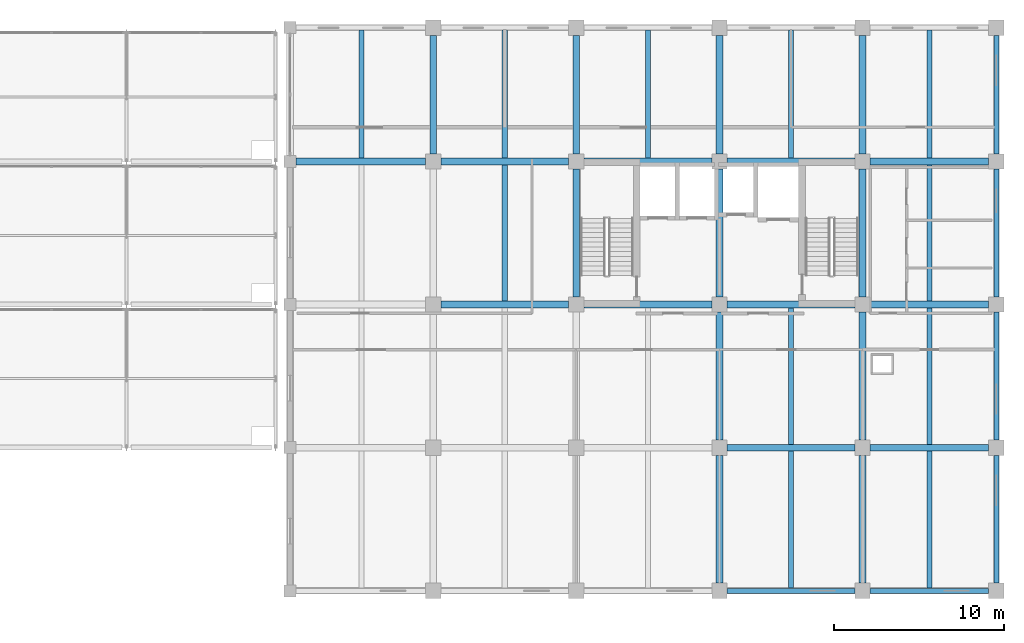
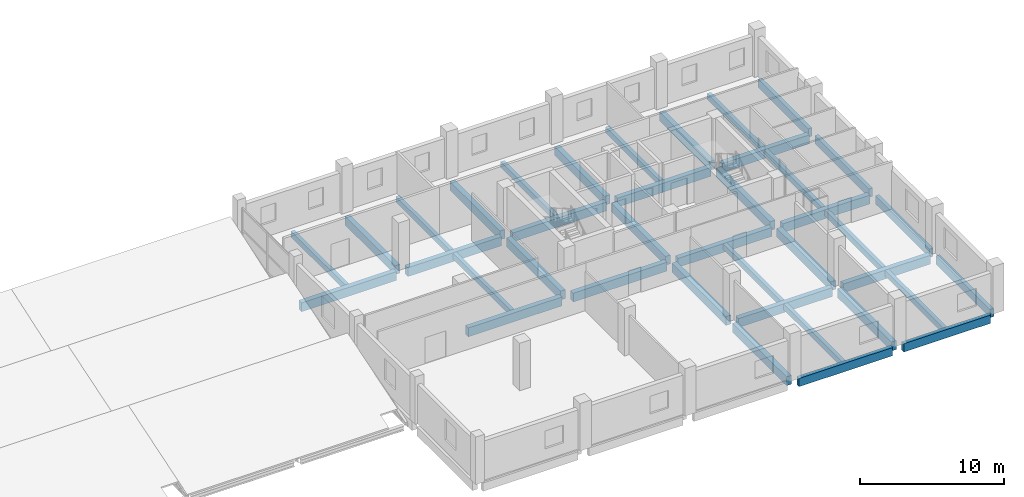
# One storey, part 25 of 40: 39 beams.
"""IFC4 building model written with IfcOpenShell, lengths in metres."""

from ifc_helpers import new_model, si_unit, direction, frame, origin, origin_2d, place, context, subcontext, project, spatial, rectangle, extrude, material, material_profile, profile_set, type_object, element, save


model = new_model("IFC4")

# Units and contexts
model_context = context("Model", 3, precision=1e-05, world=origin(), true_north=direction((0.0, 1.0)))
body_context = subcontext(model_context, "Body", "Model", "MODEL_VIEW")
ifc_project = project(units=[si_unit("LENGTHUNIT", "METRE"), si_unit("AREAUNIT", "SQUARE_METRE"), si_unit("VOLUMEUNIT", "CUBIC_METRE"), si_unit("PLANEANGLEUNIT", "RADIAN"), si_unit("MASSUNIT", "GRAM", prefix="KILO")], contexts=[model_context])

# Site, building, storey
site_placement = place(None, origin())
site = spatial("IfcSite", under=ifc_project, at=site_placement, CompositionType="ELEMENT")
building_placement = place(site_placement, origin())
building = spatial("IfcBuilding", under=site, at=building_placement, Name="Brinegate Botanical Conservatory", CompositionType="ELEMENT")
storey_placement = place(building_placement, frame((0.0, 0.0, 19.199951171875)))
storey = spatial("IfcBuildingStorey", under=building, at=storey_placement, Name="L05", CompositionType="ELEMENT", Elevation=19.199951171875)

# Beams
ifc_material_1 = material(Name="Concrete C50/60", Category="concrete")
ifc_material_profile_1 = material_profile(ifc_material_1, rectangle(XDim=0.39990234375, YDim=0.75, at=origin_2d()), Name="RC BM 400x750")
ifc_profile_set_1 = profile_set([ifc_material_profile_1], Name="Concrete C50/60")
beam_type_1 = type_object("IfcBeamType", Name="Beam_BM-T1", PredefinedType="BEAM", material=ifc_profile_set_1)
beam_1_placement = place(storey_placement, frame((147.64990234375, 86.800048828125, -0.614990234375), z_axis=(1.0, 0.0, 0.0), x_axis=(0.0, 1.0, 0.0)))
element("IfcBeam", 1, at=beam_1_placement, inside=storey, type_object=beam_type_1, Name="Beam BM-T1 L05 L:19-20", PredefinedType="BEAM", context=body_context, shape_type="SweptSolid", body=[
    extrude(rectangle(XDim=0.39990234375, YDim=0.75, at=origin_2d()), origin(), (0.0, 0.0, 1.0), 7.5),
])
beam_2_placement = place(storey_placement, frame((156.050048828125, 86.800048828125, -0.614990234375), z_axis=(1.0, 0.0, 0.0), x_axis=(0.0, 1.0, 0.0)))
element("IfcBeam", 2, at=beam_2_placement, inside=storey, type_object=beam_type_1, Name="Beam BM-T1 L05 L:20-21", PredefinedType="BEAM", context=body_context, shape_type="SweptSolid", body=[
    extrude(rectangle(XDim=0.39990234375, YDim=0.75, at=origin_2d()), origin(), (0.0, 0.0, 1.0), 6.949951171875),
])
for number, where, z_axis, x_axis, name in (
    (3, (130.85009765625, 95.199951171875, -0.614990234375), (1.0, 0.0, 0.0), (0.0, 1.0, 0.0), "Beam BM-T1 L05 M:17-18"),
    (4, (139.25, 95.199951171875, -0.614990234375), (1.0, 0.0, 0.0), (0.0, 1.0, 0.0), "Beam BM-T1 L05 M:18-19"),
    (5, (147.64990234375, 95.199951171875, -0.614990234375), (1.0, 0.0, 0.0), (0.0, 1.0, 0.0), "Beam BM-T1 L05 M:19-20"),
):
    element("IfcBeam", number, at=place(storey_placement, frame(where, z_axis=z_axis, x_axis=x_axis)), inside=storey, type_object=beam_type_1, Name=name, PredefinedType="BEAM", context=body_context, shape_type="SweptSolid", body=[
        extrude(rectangle(XDim=0.39990234375, YDim=0.75, at=origin_2d()), origin(), (0.0, 0.0, 1.0), 7.5),
    ])
beam_3_placement = place(storey_placement, frame((156.050048828125, 95.199951171875, -0.614990234375), z_axis=(1.0, 0.0, 0.0), x_axis=(0.0, 1.0, 0.0)))
element("IfcBeam", 6, at=beam_3_placement, inside=storey, type_object=beam_type_1, Name="Beam BM-T1 L05 M:20-21", PredefinedType="BEAM", context=body_context, shape_type="SweptSolid", body=[
    extrude(rectangle(XDim=0.39990234375, YDim=0.75, at=origin_2d()), origin(), (0.0, 0.0, 1.0), 6.949951171875),
])
beam_4_placement = place(storey_placement, frame((122.35009765625, 103.60009765625, -0.614990234375), z_axis=(1.0, 0.0, 0.0), x_axis=(0.0, 1.0, 0.0)))
element("IfcBeam", 7, at=beam_4_placement, inside=storey, type_object=beam_type_1, Name="Beam BM-T1 L05 N:16-17", PredefinedType="BEAM", context=body_context, shape_type="SweptSolid", body=[
    extrude(rectangle(XDim=0.39990234375, YDim=0.75, at=origin_2d()), origin(), (0.0, 0.0, 1.0), 7.599853515625),
])
for number, where, z_axis, x_axis, name in (
    (8, (130.85009765625, 103.60009765625, -0.614990234375), (1.0, 0.0, 0.0), (0.0, 1.0, 0.0), "Beam BM-T1 L05 N:17-18"),
    (9, (139.25, 103.60009765625, -0.614990234375), (1.0, 0.0, 0.0), (0.0, 1.0, 0.0), "Beam BM-T1 L05 N:18-19"),
    (10, (147.64990234375, 103.60009765625, -0.614990234375), (1.0, 0.0, 0.0), (0.0, 1.0, 0.0), "Beam BM-T1 L05 N:19-20"),
):
    element("IfcBeam", number, at=place(storey_placement, frame(where, z_axis=z_axis, x_axis=x_axis)), inside=storey, type_object=beam_type_1, Name=name, PredefinedType="BEAM", context=body_context, shape_type="SweptSolid", body=[
        extrude(rectangle(XDim=0.39990234375, YDim=0.75, at=origin_2d()), origin(), (0.0, 0.0, 1.0), 7.5),
    ])
for number, where, z_axis, x_axis, name in (
    (11, (156.050048828125, 103.60009765625, -0.614990234375), (1.0, 0.0, 0.0), (0.0, 1.0, 0.0), "Beam BM-T1 L05 N:20-21"),
    (12, (130.39990234375, 104.050048828125, -0.614990234375), (0.0, 1.0, 0.0), (-1.0, 0.0, 0.0), "Beam BM-T1 L05 17:N-P"),
):
    element("IfcBeam", number, at=place(storey_placement, frame(where, z_axis=z_axis, x_axis=x_axis)), inside=storey, type_object=beam_type_1, Name=name, PredefinedType="BEAM", context=body_context, shape_type="SweptSolid", body=[
        extrude(rectangle(XDim=0.39990234375, YDim=0.75, at=origin_2d()), origin(), (0.0, 0.0, 1.0), 6.949951171875),
    ])
beam_5_placement = place(storey_placement, frame((138.800048828125, 95.64990234375, -0.614990234375), z_axis=(0.0, 1.0, 0.0), x_axis=(-1.0, 0.0, 0.0)))
element("IfcBeam", 13, at=beam_5_placement, inside=storey, type_object=beam_type_1, Name="Beam BM-T1 L05 18:M-N", PredefinedType="BEAM", context=body_context, shape_type="SweptSolid", body=[
    extrude(rectangle(XDim=0.39990234375, YDim=0.75, at=origin_2d()), origin(), (0.0, 0.0, 1.0), 7.5),
])
beam_6_placement = place(storey_placement, frame((138.800048828125, 104.050048828125, -0.614990234375), z_axis=(0.0, 1.0, 0.0), x_axis=(-1.0, 0.0, 0.0)))
element("IfcBeam", 14, at=beam_6_placement, inside=storey, type_object=beam_type_1, Name="Beam BM-T1 L05 18:N-P", PredefinedType="BEAM", context=body_context, shape_type="SweptSolid", body=[
    extrude(rectangle(XDim=0.39990234375, YDim=0.75, at=origin_2d()), origin(), (0.0, 0.0, 1.0), 6.949951171875),
])
for number, where, z_axis, x_axis, name in (
    (15, (147.199951171875, 78.85009765625, -0.614990234375), (0.0, 1.0, 0.0), (-1.0, 0.0, 0.0), "Beam BM-T1 L05 19:K-L"),
    (16, (147.199951171875, 87.25, -0.614990234375), (0.0, 1.0, 0.0), (-1.0, 0.0, 0.0), "Beam BM-T1 L05 19:L-M"),
    (17, (147.199951171875, 95.64990234375, -0.614990234375), (0.0, 1.0, 0.0), (-1.0, 0.0, 0.0), "Beam BM-T1 L05 19:M-N"),
):
    element("IfcBeam", number, at=place(storey_placement, frame(where, z_axis=z_axis, x_axis=x_axis)), inside=storey, type_object=beam_type_1, Name=name, PredefinedType="BEAM", context=body_context, shape_type="SweptSolid", body=[
        extrude(rectangle(XDim=0.39990234375, YDim=0.75, at=origin_2d()), origin(), (0.0, 0.0, 1.0), 7.5),
    ])
beam_7_placement = place(storey_placement, frame((147.199951171875, 104.050048828125, -0.614990234375), z_axis=(0.0, 1.0, 0.0), x_axis=(-1.0, 0.0, 0.0)))
element("IfcBeam", 18, at=beam_7_placement, inside=storey, type_object=beam_type_1, Name="Beam BM-T1 L05 19:N-P", PredefinedType="BEAM", context=body_context, shape_type="SweptSolid", body=[
    extrude(rectangle(XDim=0.39990234375, YDim=0.75, at=origin_2d()), origin(), (0.0, 0.0, 1.0), 6.949951171875),
])
for number, where, z_axis, x_axis, name in (
    (19, (155.60009765625, 78.85009765625, -0.614990234375), (0.0, 1.0, 0.0), (-1.0, 0.0, 0.0), "Beam BM-T1 L05 20:K-L"),
    (20, (155.60009765625, 87.25, -0.614990234375), (0.0, 1.0, 0.0), (-1.0, 0.0, 0.0), "Beam BM-T1 L05 20:L-M"),
    (21, (155.60009765625, 95.64990234375, -0.614990234375), (0.0, 1.0, 0.0), (-1.0, 0.0, 0.0), "Beam BM-T1 L05 20:M-N"),
):
    element("IfcBeam", number, at=place(storey_placement, frame(where, z_axis=z_axis, x_axis=x_axis)), inside=storey, type_object=beam_type_1, Name=name, PredefinedType="BEAM", context=body_context, shape_type="SweptSolid", body=[
        extrude(rectangle(XDim=0.39990234375, YDim=0.75, at=origin_2d()), origin(), (0.0, 0.0, 1.0), 7.5),
    ])
beam_8_placement = place(storey_placement, frame((155.60009765625, 104.050048828125, -0.614990234375), z_axis=(0.0, 1.0, 0.0), x_axis=(-1.0, 0.0, 0.0)))
element("IfcBeam", 22, at=beam_8_placement, inside=storey, type_object=beam_type_1, Name="Beam BM-T1 L05 20:N-P", PredefinedType="BEAM", context=body_context, shape_type="SweptSolid", body=[
    extrude(rectangle(XDim=0.39990234375, YDim=0.75, at=origin_2d()), origin(), (0.0, 0.0, 1.0), 6.949951171875),
])
ifc_material_2 = material(Name="Concrete C40/50", Category="concrete")
ifc_material_profile_2 = material_profile(ifc_material_2, rectangle(XDim=0.300048828125, YDim=0.5, at=origin_2d()), Name="RC JST 300x500")
ifc_profile_set_2 = profile_set([ifc_material_profile_2], Name="Concrete C40/50")
beam_type_2 = type_object("IfcBeamType", Name="Beam_JS-C2", PredefinedType="JOIST", material=ifc_profile_set_2)
beam_9_placement = place(storey_placement, frame((126.199951171875, 103.800048828125, -0.489990234375), z_axis=(0.0, 1.0, 0.0), x_axis=(-1.0, 0.0, 0.0)))
element("IfcBeam", 23, at=beam_9_placement, inside=storey, type_object=beam_type_2, Name="Floor joist JS-C2 L05 bay 16.13", PredefinedType="JOIST", context=body_context, shape_type="SweptSolid", body=[
    extrude(rectangle(XDim=0.300048828125, YDim=0.5, at=origin_2d()), origin(), (0.0, 0.0, 1.0), 7.5),
])
beam_10_placement = place(storey_placement, frame((134.60009765625, 95.39990234375, -0.489990234375), z_axis=(0.0, 1.0, 0.0), x_axis=(-1.0, 0.0, 0.0)))
element("IfcBeam", 24, at=beam_10_placement, inside=storey, type_object=beam_type_2, Name="Floor joist JS-C2 L05 bay 17.12", PredefinedType="JOIST", context=body_context, shape_type="SweptSolid", body=[
    extrude(rectangle(XDim=0.300048828125, YDim=0.5, at=origin_2d()), origin(), (0.0, 0.0, 1.0), 8.0),
])
for number, where, z_axis, x_axis, name in (
    (25, (134.60009765625, 103.800048828125, -0.489990234375), (0.0, 1.0, 0.0), (-1.0, 0.0, 0.0), "Floor joist JS-C2 L05 bay 17.13"),
    (26, (143.0, 103.800048828125, -0.489990234375), (0.0, 1.0, 0.0), (-1.0, 0.0, 0.0), "Floor joist JS-C2 L05 bay 18.13"),
):
    element("IfcBeam", number, at=place(storey_placement, frame(where, z_axis=z_axis, x_axis=x_axis)), inside=storey, type_object=beam_type_2, Name=name, PredefinedType="JOIST", context=body_context, shape_type="SweptSolid", body=[
        extrude(rectangle(XDim=0.300048828125, YDim=0.5, at=origin_2d()), origin(), (0.0, 0.0, 1.0), 7.5),
    ])
beam_11_placement = place(storey_placement, frame((151.39990234375, 78.550048828125, -0.489990234375), z_axis=(0.0, 1.0, 0.0), x_axis=(-1.0, 0.0, 0.0)))
element("IfcBeam", 27, at=beam_11_placement, inside=storey, type_object=beam_type_2, Name="Floor joist JS-C2 L05 bay 19.10", PredefinedType="JOIST", context=body_context, shape_type="SweptSolid", body=[
    extrude(rectangle(XDim=0.300048828125, YDim=0.5, at=origin_2d()), origin(), (0.0, 0.0, 1.0), 8.050048828125),
])
beam_12_placement = place(storey_placement, frame((151.39990234375, 87.0, -0.489990234375), z_axis=(0.0, 1.0, 0.0), x_axis=(-1.0, 0.0, 0.0)))
element("IfcBeam", 28, at=beam_12_placement, inside=storey, type_object=beam_type_2, Name="Floor joist JS-C2 L05 bay 19.11", PredefinedType="JOIST", context=body_context, shape_type="SweptSolid", body=[
    extrude(rectangle(XDim=0.300048828125, YDim=0.5, at=origin_2d()), origin(), (0.0, 0.0, 1.0), 8.0),
])
beam_13_placement = place(storey_placement, frame((151.39990234375, 103.800048828125, -0.489990234375), z_axis=(0.0, 1.0, 0.0), x_axis=(-1.0, 0.0, 0.0)))
element("IfcBeam", 29, at=beam_13_placement, inside=storey, type_object=beam_type_2, Name="Floor joist JS-C2 L05 bay 19.13", PredefinedType="JOIST", context=body_context, shape_type="SweptSolid", body=[
    extrude(rectangle(XDim=0.300048828125, YDim=0.5, at=origin_2d()), origin(), (0.0, 0.0, 1.0), 7.5),
])
beam_14_placement = place(storey_placement, frame((159.52490234375, 78.550048828125, -0.489990234375), z_axis=(0.0, 1.0, 0.0), x_axis=(-1.0, 0.0, 0.0)))
element("IfcBeam", 30, at=beam_14_placement, inside=storey, type_object=beam_type_2, Name="Floor joist JS-C2 L05 bay 20.10", PredefinedType="JOIST", context=body_context, shape_type="SweptSolid", body=[
    extrude(rectangle(XDim=0.300048828125, YDim=0.5, at=origin_2d()), origin(), (0.0, 0.0, 1.0), 8.050048828125),
])
for number, where, z_axis, x_axis, name in (
    (31, (159.52490234375, 87.0, -0.489990234375), (0.0, 1.0, 0.0), (-1.0, 0.0, 0.0), "Floor joist JS-C2 L05 bay 20.11"),
    (32, (159.52490234375, 95.39990234375, -0.489990234375), (0.0, 1.0, 0.0), (-1.0, 0.0, 0.0), "Floor joist JS-C2 L05 bay 20.12"),
):
    element("IfcBeam", number, at=place(storey_placement, frame(where, z_axis=z_axis, x_axis=x_axis)), inside=storey, type_object=beam_type_2, Name=name, PredefinedType="JOIST", context=body_context, shape_type="SweptSolid", body=[
        extrude(rectangle(XDim=0.300048828125, YDim=0.5, at=origin_2d()), origin(), (0.0, 0.0, 1.0), 8.0),
    ])
beam_15_placement = place(storey_placement, frame((159.52490234375, 103.800048828125, -0.489990234375), z_axis=(0.0, 1.0, 0.0), x_axis=(-1.0, 0.0, 0.0)))
element("IfcBeam", 33, at=beam_15_placement, inside=storey, type_object=beam_type_2, Name="Floor joist JS-C2 L05 bay 20.13", PredefinedType="JOIST", context=body_context, shape_type="SweptSolid", body=[
    extrude(rectangle(XDim=0.300048828125, YDim=0.5, at=origin_2d()), origin(), (0.0, 0.0, 1.0), 7.5),
])
ifc_material_profile_3 = material_profile(ifc_material_2, rectangle(XDim=0.300048828125, YDim=0.699951171875, at=origin_2d()), Name="RC SPN 300x700")
ifc_profile_set_3 = profile_set([ifc_material_profile_3], Name="Concrete C40/50")
beam_type_3 = type_object("IfcBeamType", Name="Beam_SP-02", PredefinedType="SPANDREL", material=ifc_profile_set_3)
beam_16_placement = place(storey_placement, frame((147.64990234375, 78.39990234375, -0.58984375), z_axis=(1.0, 0.0, 0.0), x_axis=(0.0, 1.0, 0.0)))
element("IfcBeam", 34, at=beam_16_placement, inside=storey, type_object=beam_type_3, Name="Beam SP-02 L05 K:19-20", PredefinedType="SPANDREL", context=body_context, shape_type="SweptSolid", body=[
    extrude(rectangle(XDim=0.300048828125, YDim=0.699951171875, at=origin_2d()), origin(), (0.0, 0.0, 1.0), 7.5),
])
beam_17_placement = place(storey_placement, frame((156.050048828125, 78.39990234375, -0.58984375), z_axis=(1.0, 0.0, 0.0), x_axis=(0.0, 1.0, 0.0)))
element("IfcBeam", 35, at=beam_17_placement, inside=storey, type_object=beam_type_3, Name="Beam SP-02 L05 K:20-21", PredefinedType="SPANDREL", context=body_context, shape_type="SweptSolid", body=[
    extrude(rectangle(XDim=0.300048828125, YDim=0.699951171875, at=origin_2d()), origin(), (0.0, 0.0, 1.0), 6.949951171875),
])
for number, where, z_axis, x_axis, name in (
    (36, (163.449951171875, 78.85009765625, -0.58984375), (0.0, 1.0, 0.0), (-1.0, 0.0, 0.0), "Beam SP-02 L05 21:K-L"),
    (37, (163.449951171875, 87.25, -0.58984375), (0.0, 1.0, 0.0), (-1.0, 0.0, 0.0), "Beam SP-02 L05 21:L-M"),
    (38, (163.449951171875, 95.64990234375, -0.58984375), (0.0, 1.0, 0.0), (-1.0, 0.0, 0.0), "Beam SP-02 L05 21:M-N"),
):
    element("IfcBeam", number, at=place(storey_placement, frame(where, z_axis=z_axis, x_axis=x_axis)), inside=storey, type_object=beam_type_3, Name=name, PredefinedType="SPANDREL", context=body_context, shape_type="SweptSolid", body=[
        extrude(rectangle(XDim=0.300048828125, YDim=0.699951171875, at=origin_2d()), origin(), (0.0, 0.0, 1.0), 7.5),
    ])
beam_18_placement = place(storey_placement, frame((163.449951171875, 104.050048828125, -0.58984375), z_axis=(0.0, 1.0, 0.0), x_axis=(-1.0, 0.0, 0.0)))
element("IfcBeam", 39, at=beam_18_placement, inside=storey, type_object=beam_type_3, Name="Beam SP-02 L05 21:N-P", PredefinedType="SPANDREL", context=body_context, shape_type="SweptSolid", body=[
    extrude(rectangle(XDim=0.300048828125, YDim=0.699951171875, at=origin_2d()), origin(), (0.0, 0.0, 1.0), 6.949951171875),
])

save(model, "model.ifc")
